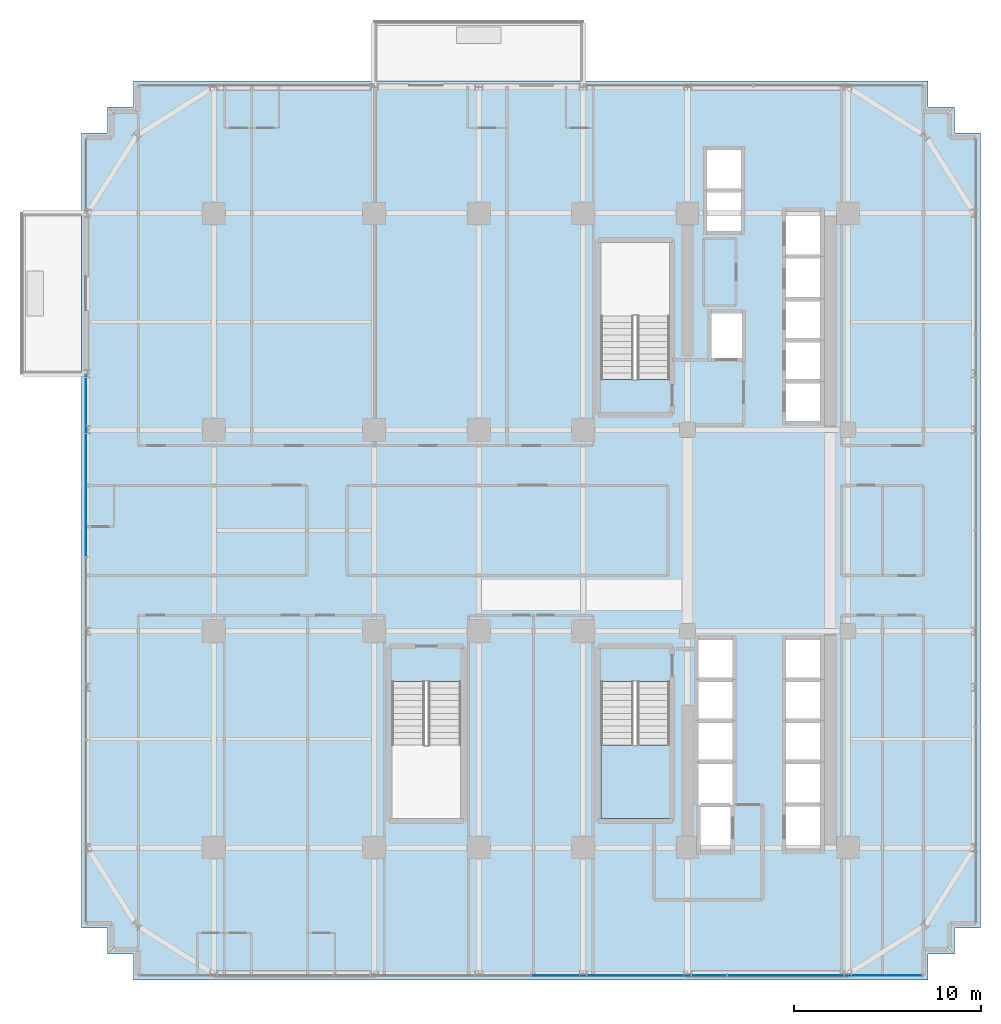
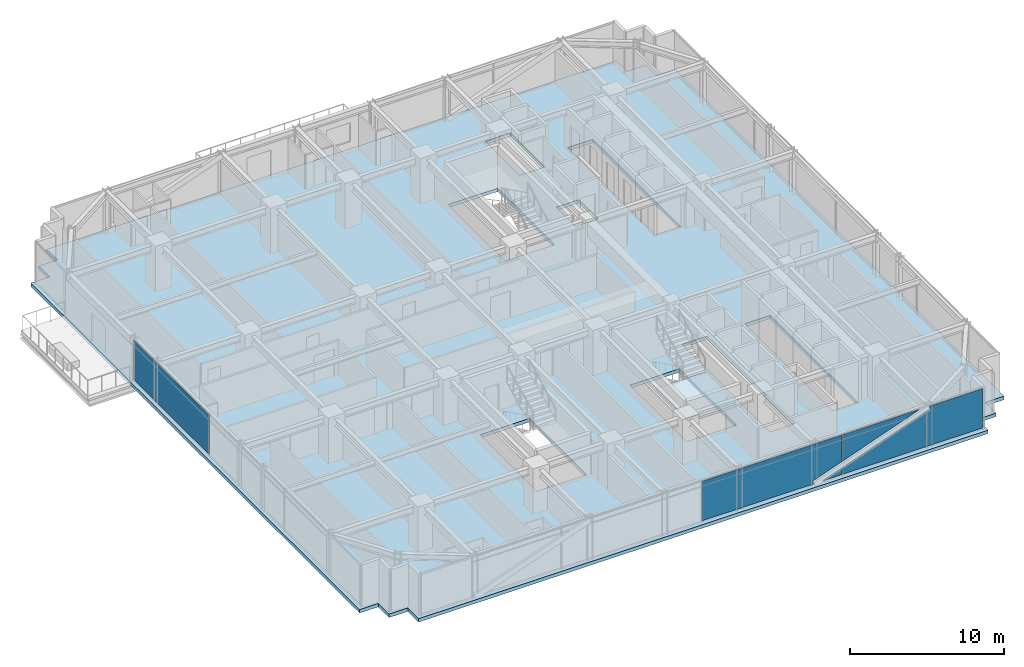
# One storey, part 27 of 39: 3 plates, 2 slabs, 3 elements without a shape of their own.
"""IFC4 building model written with IfcOpenShell, lengths in metres."""

import ifcopenshell
import ifcopenshell.guid

model = None  # the IFC model being written
_history = None  # IfcOwnerHistory: only IFC2X3 demands one
_inside = {}  # id of a spatial element -> (the spatial element, [elements in it])
_under = {}  # id of a project, library or spatial element -> (it, [spatial elements below it])
_declared = {}  # id of a project -> (the project, [libraries it declares])
_typed = {}  # id of a type object -> (the type object, [elements of that type])
_made_of = {}  # id of a material, layer set ... -> (it, [elements and type objects made of it])


def new_model(schema):
    """Start an empty IFC model of exactly this schema.

    Asked for "IFC4X3", IfcOpenShell would pick the latest addendum, in which some entities
    have other attributes; the version numbers below select the first issue.
    IFC2X3 requires an IfcOwnerHistory on every rooted entity: one is made here for all.
    """
    global model, _history
    if schema == "IFC4X3":
        model = ifcopenshell.file(schema_version=(4, 3, 0, 0))
    else:
        model = ifcopenshell.file(schema=schema)
    _inside.clear()
    _under.clear()
    _declared.clear()
    _typed.clear()
    _made_of.clear()
    _history = None
    if model.schema == "IFC2X3":
        org = make("IfcOrganization", Name="unknown")
        user = make(
            "IfcPersonAndOrganization",
            ThePerson=make("IfcPerson", FamilyName="unknown"),
            TheOrganization=org,
        )
        app = make(
            "IfcApplication",
            ApplicationDeveloper=org,
            Version="unknown",
            ApplicationFullName="unknown",
            ApplicationIdentifier="unknown",
        )
        _history = make(
            "IfcOwnerHistory",
            OwningUser=user,
            OwningApplication=app,
            ChangeAction="ADDED",
            CreationDate=0,
        )
    return model


def make(cls, **values):
    """One entity of the class cls with the attributes given. An attribute that is None is left unset."""
    return model.create_entity(
        cls, **{name: value for name, value in values.items() if value is not None}
    )


def rooted(cls, **values):
    """An entity with a GlobalId (a new one), such as an element, a storey or a relation."""
    return make(cls, GlobalId=ifcopenshell.guid.new(), OwnerHistory=_history, **values)


def si_unit(unit_type, name, prefix=None):
    """IfcSIUnit, for example si_unit("LENGTHUNIT", "METRE", prefix="MILLI")."""
    return make("IfcSIUnit", UnitType=unit_type, Prefix=prefix, Name=name)


def assignment(units):
    """IfcUnitAssignment: the units of a project."""
    return None if units is None else make("IfcUnitAssignment", Units=units)


def point(xyz):
    """IfcCartesianPoint."""
    return None if xyz is None else make("IfcCartesianPoint", Coordinates=xyz)


def direction(xyz):
    """IfcDirection."""
    return None if xyz is None else make("IfcDirection", DirectionRatios=xyz)


def frame(location, z_axis=None, x_axis=None):
    """IfcAxis2Placement3D, a coordinate frame: its origin and axes. An axis left out is left unset."""
    return make(
        "IfcAxis2Placement3D",
        Location=point(location),
        Axis=direction(z_axis),
        RefDirection=direction(x_axis),
    )


def frame_2d(location, x_axis=None):
    """IfcAxis2Placement2D, a coordinate frame in the plane: its origin and x axis."""
    return make(
        "IfcAxis2Placement2D", Location=point(location), RefDirection=direction(x_axis)
    )


def origin():
    """The frame at (0, 0, 0) with its axes left unset."""
    return frame((0.0, 0.0, 0.0))


def origin_2d():
    """The frame at (0, 0) in the plane with its x axis left unset."""
    return frame_2d((0.0, 0.0))


def place(relative_to, where):
    """IfcLocalPlacement: puts the frame where relative to a parent placement (None: the world)."""
    return make(
        "IfcLocalPlacement", PlacementRelTo=relative_to, RelativePlacement=where
    )


def context(
    kind, dimensions, precision=None, world=None, true_north=None, identifier=None
):
    """IfcGeometricRepresentationContext, for example the 3D "Model" context."""
    return make(
        "IfcGeometricRepresentationContext",
        ContextIdentifier=identifier,
        ContextType=kind,
        CoordinateSpaceDimension=dimensions,
        Precision=precision,
        WorldCoordinateSystem=world,
        TrueNorth=true_north,
    )


def subcontext(parent, identifier, kind, view, scale=None):
    """IfcGeometricRepresentationSubContext, for example "Body" below "Model"."""
    return make(
        "IfcGeometricRepresentationSubContext",
        ContextIdentifier=identifier,
        ContextType=kind,
        ParentContext=parent,
        TargetScale=scale,
        TargetView=view,
    )


def project(units=None, contexts=None):
    """IfcProject with its units and contexts."""
    return rooted(
        "IfcProject",
        Name="project",
        RepresentationContexts=contexts,
        UnitsInContext=assignment(units),
    )


def spatial(cls, under=None, at=None, **own):
    """A site, building, storey or space (cls), placed at a placement, below another one or the project."""
    s = rooted(cls, ObjectPlacement=at, **own)
    if under is not None:
        _under.setdefault(under.id(), (under, []))[1].append(s)
    return s


def polyline(points):
    """IfcPolyline through the points."""
    return make("IfcPolyline", Points=[point(p) for p in points])


def profile(cls, at=None, kind="AREA", **sizes):
    """A parametric profile (cls). Its sizes go by their IFC names, for example OverallWidth=200.0."""
    return make(cls, ProfileType=kind, Position=at, **sizes)


def rectangle(**sizes):
    """IfcRectangleProfileDef."""
    return profile("IfcRectangleProfileDef", **sizes)


def outline(outer, holes=None, kind="AREA"):
    """IfcArbitraryClosedProfileDef: a profile drawn as a closed curve; with holes, ...WithVoids."""
    if holes is None:
        return make("IfcArbitraryClosedProfileDef", ProfileType=kind, OuterCurve=outer)
    return make(
        "IfcArbitraryProfileDefWithVoids",
        ProfileType=kind,
        OuterCurve=outer,
        InnerCurves=holes,
    )


def extrude(swept, where, along, depth):
    """IfcExtrudedAreaSolid: the profile swept, set in the frame where, extruded along a direction by depth."""
    return make(
        "IfcExtrudedAreaSolid",
        SweptArea=swept,
        Position=where,
        ExtrudedDirection=direction(along),
        Depth=depth,
    )


def shape(context_of_items, identifier, shape_type, items):
    """IfcShapeRepresentation: the items that make up one representation, for example the "Body"."""
    return make(
        "IfcShapeRepresentation",
        ContextOfItems=context_of_items,
        RepresentationIdentifier=identifier,
        RepresentationType=shape_type,
        Items=items,
    )


def source(mapping_origin, context_of_items, identifier, shape_type, items):
    """IfcRepresentationMap: a shape defined once, which mapped items show again and again."""
    return make(
        "IfcRepresentationMap",
        MappingOrigin=mapping_origin,
        MappedRepresentation=shape(context_of_items, identifier, shape_type, items),
    )


def transform(
    local_origin,
    x_axis=None,
    y_axis=None,
    z_axis=None,
    scale=None,
    scale2=None,
    scale3=None,
    uniform=True,
):
    """IfcCartesianTransformationOperator3D, or its non-uniform kind. x_axis, y_axis, z_axis: its Axis1, 2, 3."""
    if uniform:
        return make(
            "IfcCartesianTransformationOperator3D",
            Axis1=direction(x_axis),
            Axis2=direction(y_axis),
            LocalOrigin=point(local_origin),
            Scale=scale,
            Axis3=direction(z_axis),
        )
    return make(
        "IfcCartesianTransformationOperator3DnonUniform",
        Axis1=direction(x_axis),
        Axis2=direction(y_axis),
        LocalOrigin=point(local_origin),
        Scale=scale,
        Axis3=direction(z_axis),
        Scale2=scale2,
        Scale3=scale3,
    )


def mapped(mapping_source, mapping_target):
    """IfcMappedItem: shows the shape of a source again, moved by a transform."""
    return make(
        "IfcMappedItem", MappingSource=mapping_source, MappingTarget=mapping_target
    )


def material(Name=None, Category=None):
    """IfcMaterial."""
    return make("IfcMaterial", Name=Name, Category=Category)


def layer(
    of_material, thickness, ventilated=None, Name=None, Category=None, Priority=None
):
    """IfcMaterialLayer: one layer of a wall or slab, of a material (None: an air gap)."""
    return make(
        "IfcMaterialLayer",
        Material=of_material,
        LayerThickness=thickness,
        IsVentilated=ventilated,
        Name=Name,
        Category=Category,
        Priority=Priority,
    )


def layer_set(layers, Name=None):
    """IfcMaterialLayerSet."""
    return make("IfcMaterialLayerSet", MaterialLayers=layers, LayerSetName=Name)


def made_of(thing, what):
    """Note that an element or type object is made of a material, layer set ...; save() writes the relation."""
    if what is not None:
        _made_of.setdefault(what.id(), (what, []))[1].append(thing)
    return thing


def type_object(cls, material=None, **own):
    """A type object (cls), such as IfcWallType, which elements share."""
    return made_of(rooted(cls, **own), material)


def element(
    cls,
    number,
    at=None,
    inside=None,
    cuts=None,
    type_object=None,
    material=None,
    context=None,
    identifier="Body",
    shape_type=None,
    held_by="IfcProductDefinitionShape",
    body=None,
    shapes=None,
    **own,
):
    """One element of the class cls, such as IfcWall. Its Tag is "e" and its number.

    at: its placement. inside: the storey or other place that contains it. cuts: it is an
    opening in that element (IfcRelVoidsElement). A single representation is given by context,
    identifier, shape_type and body (its items); several are given by shapes. held_by: the class
    of the entity that holds the representations. save() writes the other relations.
    """
    e = rooted(cls, Tag="e%d" % number, ObjectPlacement=at, **own)
    if body is not None:
        shapes = [shape(context, identifier, shape_type, body)]
    if shapes is not None:
        e.Representation = make(held_by, Representations=shapes)
    if inside is not None:
        _inside.setdefault(inside.id(), (inside, []))[1].append(e)
    if cuts is not None:
        rooted(
            "IfcRelVoidsElement", RelatingBuildingElement=cuts, RelatedOpeningElement=e
        )
    if type_object is not None:
        _typed.setdefault(type_object.id(), (type_object, []))[1].append(e)
    return made_of(e, material)


def aggregate(whole, parts):
    """IfcRelAggregates: a whole, such as a stair, and the parts it consists of."""
    return rooted("IfcRelAggregates", RelatingObject=whole, RelatedObjects=parts)


def save(model, path):
    """Write the relations noted so far, then the file.

    IfcRelAggregates (storeys below a building ...), IfcRelContainedInSpatialStructure (elements
    in a storey), IfcRelDefinesByType, IfcRelAssociatesMaterial and IfcRelDeclares: one each for
    every whole, place, type object, material and project.
    """
    for whole, parts in _under.values():
        aggregate(whole, parts)
    for where, things in _inside.values():
        rooted(
            "IfcRelContainedInSpatialStructure",
            RelatedElements=things,
            RelatingStructure=where,
        )
    for kind, things in _typed.values():
        rooted("IfcRelDefinesByType", RelatedObjects=things, RelatingType=kind)
    for what, things in _made_of.values():
        rooted("IfcRelAssociatesMaterial", RelatedObjects=things, RelatingMaterial=what)
    for by, libraries in _declared.values():
        rooted("IfcRelDeclares", RelatingContext=by, RelatedDefinitions=libraries)
    model.write(path)


model = new_model("IFC4")

# Units and contexts
model_context = context("Model", 3, precision=1e-05, world=origin(), true_north=direction((0.0, 1.0)))
body_context = subcontext(model_context, "Body", "Model", "MODEL_VIEW")
ifc_project = project(units=[si_unit("LENGTHUNIT", "METRE"), si_unit("AREAUNIT", "SQUARE_METRE"), si_unit("VOLUMEUNIT", "CUBIC_METRE"), si_unit("PLANEANGLEUNIT", "RADIAN"), si_unit("MASSUNIT", "GRAM", prefix="KILO")], contexts=[model_context])

# Site, building, storey
site_placement = place(None, origin())
site = spatial("IfcSite", under=ifc_project, at=site_placement, CompositionType="ELEMENT")
building_placement = place(site_placement, origin())
building = spatial("IfcBuilding", under=site, at=building_placement, Name="Nahalor Promenade Grand Hotel", CompositionType="ELEMENT")
storey_placement = place(building_placement, frame((0.0, 0.0, 135.75)))
storey = spatial("IfcBuildingStorey", under=building, at=storey_placement, Name="L34", CompositionType="ELEMENT", Elevation=135.75)

# Curtain wall, plates
ifc_material_1 = material(Name="Anodised Bronze Aluminium EN AW-6063 T6", Category="aluminium")
curtain_wall_type = type_object("IfcCurtainWallType", Name="CW2 Typical Hotel Flush Bronze Unitised Curtain Wall", PredefinedType="USERDEFINED", material=ifc_material_1)
curtain_wall_1_placement = place(storey_placement, origin())
curtain_wall_1 = element("IfcCurtainWall", 1, at=curtain_wall_1_placement, inside=storey, type_object=curtain_wall_type, Name="L34 Curtain Wall CW-L34-S-1", ObjectType="UNITISED_CURTAIN_WALL", PredefinedType="USERDEFINED")
ifc_material_2 = material(Name="Low-E Laminated Solar Glass", Category="glass")
ifc_layer_1 = layer(ifc_material_2, 0.028076171875)
ifc_layer_set_1 = layer_set([ifc_layer_1], Name="Low-E Laminated Solar Glass")
plate_type = type_object("IfcPlateType", Name="CWP2 Bronze Low-E Vision IGU 28mm", PredefinedType="CURTAIN_PANEL", material=ifc_layer_set_1)
plate_1_placement = place(storey_placement, frame((5.264892578125, -23.860107421875, 0.1298828125), z_axis=(0.0, 0.0, 1.0), x_axis=(1.0, 0.0, 0.0)))
plate_1 = element("IfcPlate", 2, at=plate_1_placement, type_object=plate_type, Name="CW-L34-S-1 Glazing Panel 2-0", PredefinedType="CURTAIN_PANEL", context=body_context, shape_type="SweptSolid", body=[
    extrude(outline(polyline([(-5.232421875, 3.1201171875), (-5.232421875, 0.0), (3.11572265625, 0.0), (3.027099609375, 0.246826171875), (5.232421875, 1.036865234375), (5.232421875, 3.1201171875), (-5.232421875, 3.1201171875)])), frame((0.0, 0.01416015625, 0.0), z_axis=(0.0, -1.0, 0.0), x_axis=(1.0, 0.0, 0.0)), (0.0, 0.0, 1.0), 0.028076171875),
    extrude(outline(polyline([(3.820556640625, 0.0), (5.232421875, 0.0), (5.232421875, 0.505615234375), (3.820556640625, 0.0)])), frame((0.0, 0.01416015625, 0.0), z_axis=(0.0, -1.0, 0.0), x_axis=(1.0, 0.0, 0.0)), (0.0, 0.0, 1.0), 0.028076171875),
])
plate_2_placement = place(storey_placement, frame((15.77880859375, -23.860107421875, 0.1298828125), z_axis=(0.0, 0.0, 1.0), x_axis=(1.0, 0.0, 0.0)))
plate_2 = element("IfcPlate", 3, at=plate_2_placement, type_object=plate_type, Name="CW-L34-S-1 Glazing Panel 3-0", PredefinedType="CURTAIN_PANEL", context=body_context, shape_type="SweptSolid", body=[
    extrude(outline(polyline([(5.21630859375, 0.0), (5.21630859375, 3.1201171875), (1.24072265625, 3.1201171875), (1.3291015625, 2.873046875), (-5.21630859375, 0.52880859375), (-5.21630859375, 0.0), (5.21630859375, 0.0)])), frame((0.0, 0.01416015625, 0.0), z_axis=(0.0, -1.0, 0.0), x_axis=(1.0, 0.0, 0.0)), (0.0, 0.0, 1.0), 0.028076171875),
    extrude(outline(polyline([(0.53564453125, 3.1201171875), (-5.21630859375, 3.1201171875), (-5.21630859375, 1.06005859375), (0.53564453125, 3.1201171875)])), frame((0.0, 0.01416015625, 0.0), z_axis=(0.0, -1.0, 0.0), x_axis=(1.0, 0.0, 0.0)), (0.0, 0.0, 1.0), 0.028076171875),
])
aggregate(curtain_wall_1, [plate_1, plate_2])

# Stair, slab
ifc_material_3 = material(Name="Concrete B-50 (C40/50)", Category="concrete")
stair_type = type_object("IfcStairType", Name="Stair-ST2", PredefinedType="HALF_TURN_STAIR", material=ifc_material_3)
stair_placement = place(storey_placement, origin())
stair = element("IfcStair", 4, at=stair_placement, inside=storey, type_object=stair_type, Name="L34 ST2", PredefinedType="HALF_TURN_STAIR")
ifc_layer_2 = layer(ifc_material_3, 0.2099609375)
ifc_layer_set_2 = layer_set([ifc_layer_2], Name="Concrete B-50 (C40/50)")
slab_type_1 = type_object("IfcSlabType", Name="Landing-ST2", PredefinedType="LANDING", material=ifc_layer_set_2)
slab_1_placement = place(storey_placement, frame((0.0, 0.0, 1.614990234375)))
slab_1 = element("IfcSlab", 5, at=slab_1_placement, type_object=slab_type_1, Name="ST2 landing 1", PredefinedType="LANDING", context=body_context, shape_type="SweptSolid", body=[
    extrude(outline(polyline([(3.75, -11.5), (3.75, -15.449951171875), (7.449951171875, -15.449951171875), (7.449951171875, -11.5), (3.75, -11.5)])), origin(), (0.0, 0.0, 1.0), 0.2099609375),
])
aggregate(stair, [slab_1])

# Slab
ifc_layer_3 = layer(ifc_material_3, 0.27001953125)
ifc_layer_set_3 = layer_set([ifc_layer_3], Name="Concrete B-50 (C40/50)")
slab_type_2 = type_object("IfcSlabType", Name="Slab-TowerZ2-270", PredefinedType="FLOOR", material=ifc_layer_set_3)
slab_2_placement = place(storey_placement, frame((0.0, 0.0, -0.27001953125)))
element("IfcSlab", 6, at=slab_2_placement, inside=storey, type_object=slab_type_2, Name="L34 Suspended Structural Floor Slab", PredefinedType="FLOOR", context=body_context, shape_type="SweptSolid", body=[
    extrude(outline(polyline([(-21.300048828125, -24.10009765625), (21.300048828125, -24.10009765625), (21.300048828125, -22.699951171875), (22.699951171875, -22.699951171875), (22.699951171875, -21.300048828125), (24.10009765625, -21.300048828125), (24.10009765625, 21.300048828125), (22.699951171875, 21.300048828125), (22.699951171875, 22.699951171875), (21.300048828125, 22.699951171875), (21.300048828125, 24.10009765625), (-21.300048828125, 24.10009765625), (-21.300048828125, 22.699951171875), (-22.699951171875, 22.699951171875), (-22.699951171875, 21.300048828125), (-24.10009765625, 21.300048828125), (-24.10009765625, -21.300048828125), (-22.699951171875, -21.300048828125), (-22.699951171875, -22.699951171875), (-21.300048828125, -22.699951171875), (-21.300048828125, -24.10009765625)]), holes=[polyline([(3.75, 8.10009765625), (7.449951171875, 8.10009765625), (7.449951171875, 15.449951171875), (3.75, 15.449951171875), (3.75, 8.10009765625)]), polyline([(3.75, -15.449951171875), (7.449951171875, -15.449951171875), (7.449951171875, -8.10009765625), (3.75, -8.10009765625), (3.75, -15.449951171875)]), polyline([(-7.449951171875, -15.449951171875), (-3.75, -15.449951171875), (-3.75, -8.10009765625), (-7.449951171875, -8.10009765625), (-7.449951171875, -15.449951171875)]), polyline([(13.659912109375, 5.81005859375), (15.5400390625, 5.81005859375), (15.5400390625, 17.139892578125), (13.659912109375, 17.139892578125), (13.659912109375, 5.81005859375)]), polyline([(13.659912109375, -17.139892578125), (15.5400390625, -17.139892578125), (15.5400390625, -5.81005859375), (13.659912109375, -5.81005859375), (13.659912109375, -17.139892578125)]), polyline([(8.9599609375, -17.18994140625), (10.840087890625, -17.18994140625), (10.840087890625, -5.81005859375), (8.9599609375, -5.81005859375), (8.9599609375, -17.18994140625)]), polyline([(9.409912109375, 16.010009765625), (11.2900390625, 16.010009765625), (11.2900390625, 20.43994140625), (9.409912109375, 20.43994140625), (9.409912109375, 16.010009765625)]), polyline([(9.659912109375, 9.2099609375), (11.340087890625, 9.2099609375), (11.340087890625, 11.68994140625), (9.659912109375, 11.68994140625), (9.659912109375, 9.2099609375)])]), origin(), (0.0, 0.0, 1.0), 0.27001953125),
])

# Curtain wall, plate
curtain_wall_2_placement = place(storey_placement, origin())
curtain_wall_2 = element("IfcCurtainWall", 7, at=curtain_wall_2_placement, inside=storey, type_object=curtain_wall_type, Name="L34 Curtain Wall CW-L34-W-1", ObjectType="UNITISED_CURTAIN_WALL", PredefinedType="USERDEFINED")
shared_shape = source(origin(), body_context, "Body", "SweptSolid", [
    extrude(rectangle(XDim=9.722412109375, YDim=0.028076171875, at=origin_2d()), origin(), (0.0, 0.0, 1.0), 3.1201171875),
])
plate_3_placement = place(storey_placement, frame((-23.860107421875, 3.4736328125, 0.1298828125), z_axis=(0.0, 0.0, 1.0), x_axis=(0.0, 1.0, 0.0)))
plate_3 = element("IfcPlate", 8, at=plate_3_placement, type_object=plate_type, Name="CW-L34-W-1 Glazing Panel 2-0", PredefinedType="CURTAIN_PANEL", context=body_context, shape_type="MappedRepresentation", body=[
    mapped(shared_shape, transform((0.0, 0.0, 0.0), scale=1.0)),
])
aggregate(curtain_wall_2, [plate_3])

save(model, "model.ifc")
